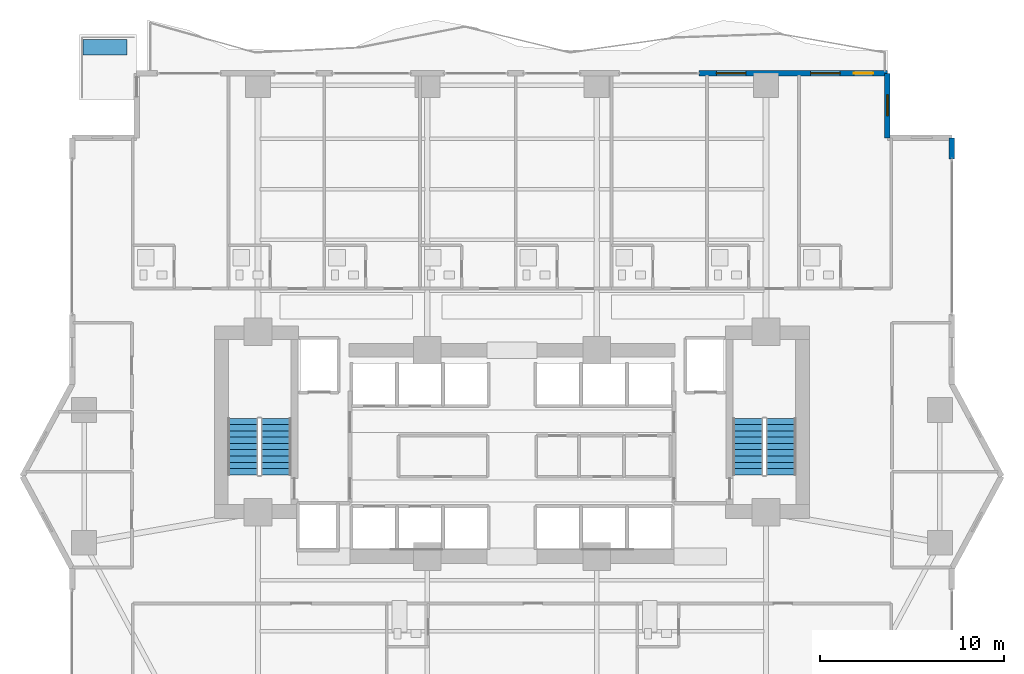
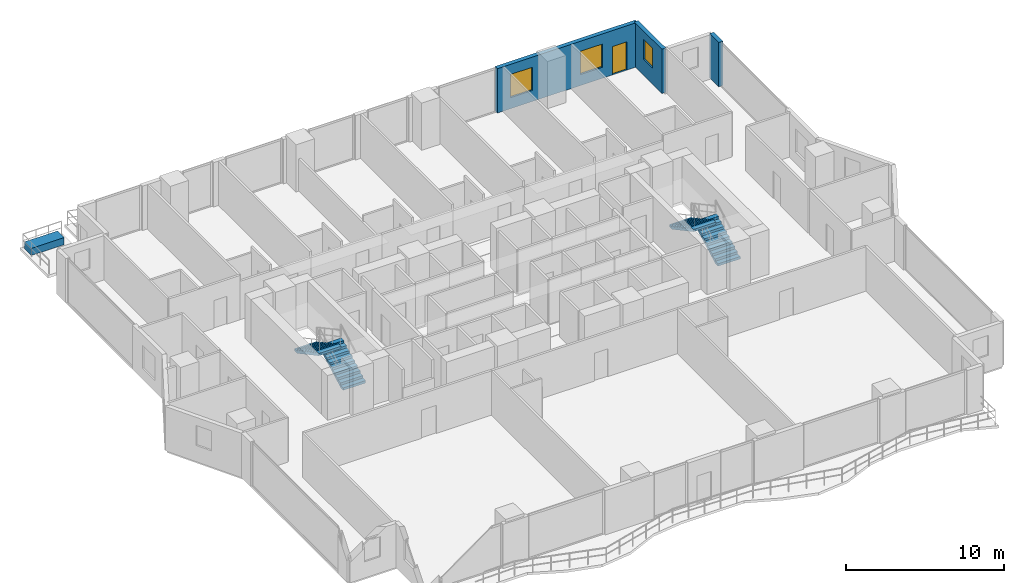
# One storey, part 25 of 29: 4 stair flights, 3 walls, 3 windows, 1 building element part, 1 door, 4 openings, 2 elements without a shape of their own.
"""IFC4 building model written with IfcOpenShell, lengths in metres."""

from ifc_helpers import new_model, si_unit, direction, frame, frame_2d, origin, origin_2d, place, context, subcontext, project, spatial, polyline, rectangle, outline, extrude, material, layer, layer_set, type_object, element, fill, aggregate, save


model = new_model("IFC4")

# Units and contexts
model_context = context("Model", 3, precision=1e-05, world=origin(), true_north=direction((0.0, 1.0)))
body_context = subcontext(model_context, "Body", "Model", "MODEL_VIEW")
ifc_project = project(units=[si_unit("LENGTHUNIT", "METRE"), si_unit("AREAUNIT", "SQUARE_METRE"), si_unit("VOLUMEUNIT", "CUBIC_METRE"), si_unit("PLANEANGLEUNIT", "RADIAN"), si_unit("MASSUNIT", "GRAM", prefix="KILO")], contexts=[model_context])

# Site, building, storey
site_placement = place(None, origin())
site = spatial("IfcSite", under=ifc_project, at=site_placement, CompositionType="ELEMENT")
building_placement = place(site_placement, origin())
building = spatial("IfcBuilding", under=site, at=building_placement, Name="Zuhayl Quay Hotel", CompositionType="ELEMENT")
storey_placement = place(building_placement, frame((0.0, 0.0, 113.89990234375)))
storey = spatial("IfcBuildingStorey", under=building, at=storey_placement, Name="L28", CompositionType="ELEMENT", Elevation=113.89990234375)

# Wall, openings, door, windows
ifc_material_1 = material(Name="Precast concrete C45/55", Category="concrete")
ifc_layer_1 = layer(ifc_material_1, 0.300048828125, Name="Precast concrete C45/55", Category="concrete")
ifc_layer_set_1 = layer_set([ifc_layer_1], Name="Precast concrete C45/55")
wall_type = type_object("IfcWallType", Name="WL_EXT_300", PredefinedType="STANDARD", material=ifc_layer_set_1)
wall_1_placement = place(storey_placement, frame((10.14990234375, 28.39990234375, 0.0), z_axis=(0.0, 0.0, 1.0), x_axis=(1.0, 0.0, 0.0)))
wall_1 = element("IfcWall", 1, at=wall_1_placement, inside=storey, type_object=wall_type, Name="L28 Exterior Precast Wall ENV_L28_N_EW7", PredefinedType="STANDARD", context=body_context, shape_type="SweptSolid", body=[
    extrude(rectangle(XDim=10.25, YDim=0.300048828125, at=frame_2d((5.125, 0.0))), origin(), (0.0, 0.0, 1.0), 3.43017578125),
])
opening_1_placement = place(wall_1_placement, frame((8.425048828125, 0.0, 0.0)))
opening_1 = element("IfcOpeningElement", 2, at=opening_1_placement, cuts=wall_1, Name="Opening DG1", PredefinedType="OPENING", context=body_context, shape_type="SweptSolid", body=[
    extrude(rectangle(XDim=1.050048828125, YDim=2.199951171875, at=frame_2d((0.52490234375, 1.10009765625))), frame((0.0, 0.159912109375, 0.0), z_axis=(0.0, -1.0, 0.0), x_axis=(1.0, 0.0, 0.0)), (0.0, 0.0, 1.0), 0.320068359375),
])
opening_2_placement = place(wall_1_placement, frame((0.9599609375, 0.0, 0.85009765625)))
opening_2 = element("IfcOpeningElement", 3, at=opening_2_placement, cuts=wall_1, Name="Opening W01", PredefinedType="OPENING", context=body_context, shape_type="SweptSolid", body=[
    extrude(rectangle(XDim=1.60009765625, YDim=1.800048828125, at=frame_2d((0.800048828125, 0.89990234375))), frame((0.0, 0.159912109375, 0.0), z_axis=(0.0, -1.0, 0.0), x_axis=(1.0, 0.0, 0.0)), (0.0, 0.0, 1.0), 0.320068359375),
])
opening_3_placement = place(wall_1_placement, frame((6.072509765625, 0.0, 0.85009765625)))
opening_3 = element("IfcOpeningElement", 4, at=opening_3_placement, cuts=wall_1, Name="Opening W01", PredefinedType="OPENING", context=body_context, shape_type="SweptSolid", body=[
    extrude(rectangle(XDim=1.60009765625, YDim=1.800048828125, at=frame_2d((0.800048828125, 0.89990234375))), frame((0.0, 0.159912109375, 0.0), z_axis=(0.0, -1.0, 0.0), x_axis=(1.0, 0.0, 0.0)), (0.0, 0.0, 1.0), 0.320068359375),
])
ifc_material_2 = material(Name="Anodised Aluminium and Dark Solar Glass", Category="aluminium")
door_type = type_object("IfcDoorType", Name="DR_EXT_TERR_1050", OperationType="NOTDEFINED", PredefinedType="DOOR", material=ifc_material_2)
door_placement = place(opening_1_placement, origin())
door = element("IfcDoor", 5, at=door_placement, inside=storey, type_object=door_type, Name="L28 North Rippling Balcony Door", OperationType="SINGLE_SWING_LEFT", OverallHeight=2.199951171875, OverallWidth=1.050048828125, PredefinedType="DOOR", context=body_context, shape_type="SweptSolid", body=[
    extrude(rectangle(XDim=1.050048828125, YDim=2.199951171875, at=frame_2d((0.52490234375, 1.10009765625))), frame((0.0, 0.02490234375, 0.0), z_axis=(0.0, -1.0, 0.0), x_axis=(1.0, 0.0, 0.0)), (0.0, 0.0, 1.0), 0.050048828125),
])
fill(opening_1, door)
ifc_material_3 = material(Name="Dark Ceramic-Fritted Solar Glass", Category="glass")
window_type_1 = type_object("IfcWindowType", Name="WN_OPERABLE_1600", PartitioningType="DOUBLE_PANEL_VERTICAL", PredefinedType="WINDOW", material=ifc_material_3)
window_1_placement = place(opening_2_placement, origin())
window_1 = element("IfcWindow", 6, at=window_1_placement, inside=storey, type_object=window_type_1, Name="L28 Operable Facade Window 7-1", OverallHeight=1.800048828125, OverallWidth=1.60009765625, PartitioningType="SINGLE_PANEL", PredefinedType="WINDOW", context=body_context, shape_type="SweptSolid", body=[
    extrude(rectangle(XDim=1.60009765625, YDim=1.800048828125, at=frame_2d((0.800048828125, 0.89990234375))), frame((0.0, 0.030029296875, 0.0), z_axis=(0.0, -1.0, 0.0), x_axis=(1.0, 0.0, 0.0)), (0.0, 0.0, 1.0), 0.06005859375),
])
fill(opening_2, window_1)
window_2_placement = place(opening_3_placement, origin())
window_2 = element("IfcWindow", 7, at=window_2_placement, inside=storey, type_object=window_type_1, Name="L28 Operable Facade Window 7-2", OverallHeight=1.800048828125, OverallWidth=1.60009765625, PartitioningType="SINGLE_PANEL", PredefinedType="WINDOW", context=body_context, shape_type="SweptSolid", body=[
    extrude(rectangle(XDim=1.60009765625, YDim=1.800048828125, at=frame_2d((0.800048828125, 0.89990234375))), frame((0.0, 0.030029296875, 0.0), z_axis=(0.0, -1.0, 0.0), x_axis=(1.0, 0.0, 0.0)), (0.0, 0.0, 1.0), 0.06005859375),
])
fill(opening_3, window_2)

# Wall, opening, window
wall_2_placement = place(storey_placement, frame((20.39990234375, 28.39990234375, 0.0), z_axis=(0.0, 0.0, 1.0), x_axis=(0.0, -1.0, 0.0)))
wall_2 = element("IfcWall", 8, at=wall_2_placement, inside=storey, type_object=wall_type, Name="L28 Exterior Precast Wall ENV_L28_EW09", PredefinedType="STANDARD", context=body_context, shape_type="SweptSolid", body=[
    extrude(rectangle(XDim=3.5, YDim=0.300048828125, at=frame_2d((1.75, 0.0))), origin(), (0.0, 0.0, 1.0), 3.43017578125),
])
opening_4_placement = place(wall_2_placement, frame((1.1650390625, 0.0, 1.25)))
opening_4 = element("IfcOpeningElement", 9, at=opening_4_placement, cuts=wall_2, Name="Opening W01N", PredefinedType="OPENING", context=body_context, shape_type="SweptSolid", body=[
    extrude(rectangle(XDim=1.14990234375, YDim=1.550048828125, at=frame_2d((0.574951171875, 0.77490234375))), frame((0.0, 0.159912109375, 0.0), z_axis=(0.0, -1.0, 0.0), x_axis=(1.0, 0.0, 0.0)), (0.0, 0.0, 1.0), 0.320068359375),
])
window_type_2 = type_object("IfcWindowType", Name="WN_NOTCH_1350", PartitioningType="SINGLE_PANEL", PredefinedType="WINDOW", material=ifc_material_3)
window_3_placement = place(opening_4_placement, origin())
window_3 = element("IfcWindow", 10, at=window_3_placement, inside=storey, type_object=window_type_2, Name="L28 Corner Notch Window 9", OverallHeight=1.550048828125, OverallWidth=1.14990234375, PartitioningType="SINGLE_PANEL", PredefinedType="WINDOW", context=body_context, shape_type="SweptSolid", body=[
    extrude(rectangle(XDim=1.14990234375, YDim=1.550048828125, at=frame_2d((0.574951171875, 0.77490234375))), frame((0.0, 0.030029296875, 0.0), z_axis=(0.0, -1.0, 0.0), x_axis=(1.0, 0.0, 0.0)), (0.0, 0.0, 1.0), 0.06005859375),
])
fill(opening_4, window_3)

# Wall
wall_3_placement = place(storey_placement, frame((23.89990234375, 24.89990234375, 0.0), z_axis=(0.0, 0.0, 1.0), x_axis=(0.0, -1.0, 0.0)))
element("IfcWall", 11, at=wall_3_placement, inside=storey, type_object=wall_type, Name="L28 Exterior Precast Wall ENV_L28_E11_EW1", PredefinedType="STANDARD", context=body_context, shape_type="SweptSolid", body=[
    extrude(rectangle(XDim=1.14990234375, YDim=0.300048828125, at=frame_2d((0.574951171875, 0.0))), origin(), (0.0, 0.0, 1.0), 3.43017578125),
])

# Stair, stair flights
ifc_material_4 = material(Name="Concrete C45/55", Category="concrete")
stair_type = type_object("IfcStairType", Name="ST_DOGLEG_TOWER", PredefinedType="HALF_TURN_STAIR", material=ifc_material_4)
stair_1_placement = place(storey_placement, origin())
stair_1 = element("IfcStair", 12, at=stair_1_placement, inside=storey, type_object=stair_type, Name="L28 Smokeproof Exit Stair ST1", PredefinedType="HALF_TURN_STAIR")
ifc_layer_2 = layer(ifc_material_4, 0.159912109375, Name="Concrete C45/55", Category="concrete")
ifc_layer_set_2 = layer_set([ifc_layer_2], Name="Concrete C45/55")
stair_flight_type = type_object("IfcStairFlightType", Name="SF_CONC_164", PredefinedType="STRAIGHT", material=ifc_layer_set_2)
stair_flight_1_placement = place(storey_placement, frame((-12.820068359375, 6.590087890625, 0.0), z_axis=(0.0, 0.0, 1.0), x_axis=(0.0, 1.0, 0.0)))
stair_flight_1 = element("IfcStairFlight", 13, at=stair_flight_1_placement, type_object=stair_flight_type, Name="ST1 flight 1", NumberOfRisers=10, NumberOfTreads=9, PredefinedType="STRAIGHT", RiserHeight=0.1825, TreadLength=0.34, context=body_context, shape_type="SweptSolid", body=[
    extrude(outline(polyline([(0.0, 0.0), (0.0, 0.1826171875), (0.340087890625, 0.1826171875), (0.340087890625, 0.364990234375), (0.679931640625, 0.364990234375), (0.679931640625, 0.547607421875), (1.02001953125, 0.547607421875), (1.02001953125, 0.72998046875), (1.360107421875, 0.72998046875), (1.360107421875, 0.91259765625), (1.699951171875, 0.91259765625), (1.699951171875, 1.094970703125), (2.0400390625, 1.094970703125), (2.0400390625, 1.277587890625), (2.3798828125, 1.277587890625), (2.3798828125, 1.4599609375), (2.719970703125, 1.4599609375), (2.719970703125, 1.642578125), (3.06005859375, 1.642578125), (3.06005859375, 1.824951171875), (3.06005859375, 1.472412109375), (0.31689453125, 0.0), (0.0, 0.0)])), frame((0.0, 0.81982421875, 0.0), z_axis=(0.0, -1.0, 0.0), x_axis=(1.0, 0.0, 0.0)), (0.0, 0.0, 1.0), 1.639892578125),
])
stair_flight_2_placement = place(storey_placement, frame((-14.610107421875, 9.64990234375, 1.8251953125), z_axis=(0.0, 0.0, 1.0), x_axis=(0.0, -1.0, 0.0)))
stair_flight_2 = element("IfcStairFlight", 14, at=stair_flight_2_placement, type_object=stair_flight_type, Name="ST1 flight 2", NumberOfRisers=10, NumberOfTreads=9, PredefinedType="STRAIGHT", RiserHeight=0.1825, TreadLength=0.34, context=body_context, shape_type="SweptSolid", body=[
    extrude(outline(polyline([(0.0, 0.0), (0.0, 0.1826171875), (0.340087890625, 0.1826171875), (0.340087890625, 0.364990234375), (0.679931640625, 0.364990234375), (0.679931640625, 0.547607421875), (1.02001953125, 0.547607421875), (1.02001953125, 0.72998046875), (1.360107421875, 0.72998046875), (1.360107421875, 0.91259765625), (1.699951171875, 0.91259765625), (1.699951171875, 1.094970703125), (2.0400390625, 1.094970703125), (2.0400390625, 1.277587890625), (2.3798828125, 1.277587890625), (2.3798828125, 1.4599609375), (2.719970703125, 1.4599609375), (2.719970703125, 1.642578125), (3.06005859375, 1.642578125), (3.06005859375, 1.824951171875), (3.06005859375, 1.472412109375), (0.31689453125, 0.0), (0.0, 0.0)])), frame((0.0, 0.81982421875, 0.0), z_axis=(0.0, -1.0, 0.0), x_axis=(1.0, 0.0, 0.0)), (0.0, 0.0, 1.0), 1.639892578125),
])
aggregate(stair_1, [stair_flight_1, stair_flight_2])

stair_2_placement = place(storey_placement, origin())
stair_2 = element("IfcStair", 15, at=stair_2_placement, inside=storey, type_object=stair_type, Name="L28 Smokeproof Exit Stair ST2", PredefinedType="HALF_TURN_STAIR")
stair_flight_3_placement = place(storey_placement, frame((14.610107421875, 6.590087890625, 0.0), z_axis=(0.0, 0.0, 1.0), x_axis=(0.0, 1.0, 0.0)))
stair_flight_3 = element("IfcStairFlight", 16, at=stair_flight_3_placement, type_object=stair_flight_type, Name="ST2 flight 1", NumberOfRisers=10, NumberOfTreads=9, PredefinedType="STRAIGHT", RiserHeight=0.1825, TreadLength=0.34, context=body_context, shape_type="SweptSolid", body=[
    extrude(outline(polyline([(0.0, 0.0), (0.0, 0.1826171875), (0.340087890625, 0.1826171875), (0.340087890625, 0.364990234375), (0.679931640625, 0.364990234375), (0.679931640625, 0.547607421875), (1.02001953125, 0.547607421875), (1.02001953125, 0.72998046875), (1.360107421875, 0.72998046875), (1.360107421875, 0.91259765625), (1.699951171875, 0.91259765625), (1.699951171875, 1.094970703125), (2.0400390625, 1.094970703125), (2.0400390625, 1.277587890625), (2.3798828125, 1.277587890625), (2.3798828125, 1.4599609375), (2.719970703125, 1.4599609375), (2.719970703125, 1.642578125), (3.06005859375, 1.642578125), (3.06005859375, 1.824951171875), (3.06005859375, 1.472412109375), (0.31689453125, 0.0), (0.0, 0.0)])), frame((0.0, 0.81982421875, 0.0), z_axis=(0.0, -1.0, 0.0), x_axis=(1.0, 0.0, 0.0)), (0.0, 0.0, 1.0), 1.639892578125),
])
stair_flight_4_placement = place(storey_placement, frame((12.820068359375, 9.64990234375, 1.8251953125), z_axis=(0.0, 0.0, 1.0), x_axis=(0.0, -1.0, 0.0)))
stair_flight_4 = element("IfcStairFlight", 17, at=stair_flight_4_placement, type_object=stair_flight_type, Name="ST2 flight 2", NumberOfRisers=10, NumberOfTreads=9, PredefinedType="STRAIGHT", RiserHeight=0.1825, TreadLength=0.34, context=body_context, shape_type="SweptSolid", body=[
    extrude(outline(polyline([(0.0, 0.0), (0.0, 0.1826171875), (0.340087890625, 0.1826171875), (0.340087890625, 0.364990234375), (0.679931640625, 0.364990234375), (0.679931640625, 0.547607421875), (1.02001953125, 0.547607421875), (1.02001953125, 0.72998046875), (1.360107421875, 0.72998046875), (1.360107421875, 0.91259765625), (1.699951171875, 0.91259765625), (1.699951171875, 1.094970703125), (2.0400390625, 1.094970703125), (2.0400390625, 1.277587890625), (2.3798828125, 1.277587890625), (2.3798828125, 1.4599609375), (2.719970703125, 1.4599609375), (2.719970703125, 1.642578125), (3.06005859375, 1.642578125), (3.06005859375, 1.824951171875), (3.06005859375, 1.472412109375), (0.31689453125, 0.0), (0.0, 0.0)])), frame((0.0, 0.81982421875, 0.0), z_axis=(0.0, -1.0, 0.0), x_axis=(1.0, 0.0, 0.0)), (0.0, 0.0, 1.0), 1.639892578125),
])
aggregate(stair_2, [stair_flight_3, stair_flight_4])

# Building element part
ifc_layer_3 = layer(ifc_material_1, 0.550048828125, Name="Precast concrete C45/55", Category="concrete")
ifc_layer_set_3 = layer_set([ifc_layer_3], Name="Precast concrete C45/55")
building_element_part_type = type_object("IfcBuildingElementPartType", Name="PT_PLANTER_KERB", PredefinedType="PRECASTPANEL", material=ifc_layer_set_3)
building_element_part_placement = place(storey_placement, frame((-22.110107421875, 29.81005859375, 0.0), z_axis=(0.0, 0.0, 1.0), x_axis=(1.0, 0.0, 0.0)))
element("IfcBuildingElementPart", 18, at=building_element_part_placement, inside=storey, type_object=building_element_part_type, Name="L28 Spiral Sky-Terrace Planter Box NW", PredefinedType="PRECASTPANEL", context=body_context, shape_type="SweptSolid", body=[
    extrude(rectangle(XDim=2.39990234375, YDim=0.85009765625, at=origin_2d()), origin(), (0.0, 0.0, 1.0), 0.550048828125),
])

save(model, "model.ifc")
